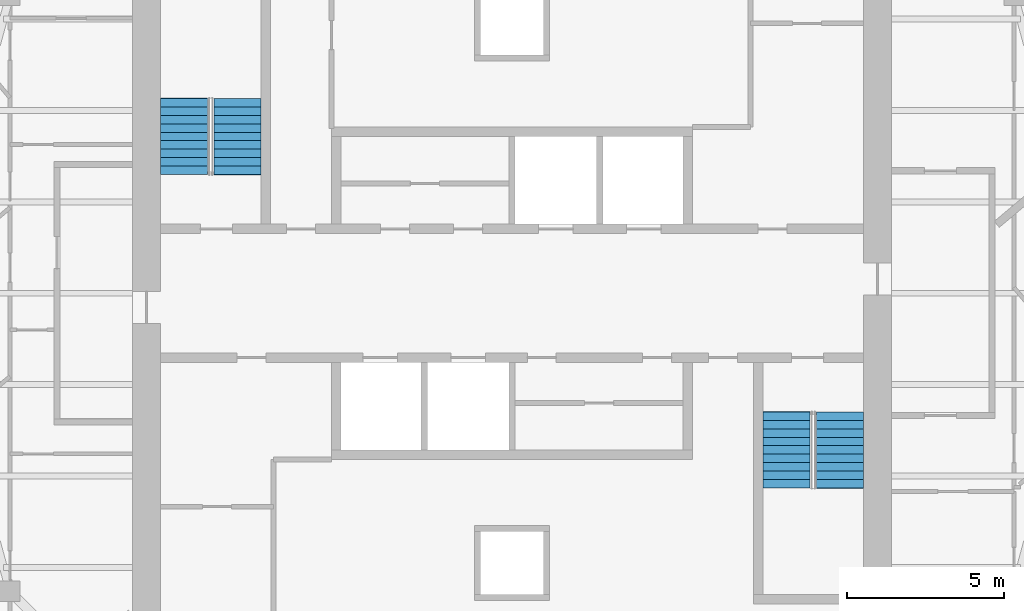
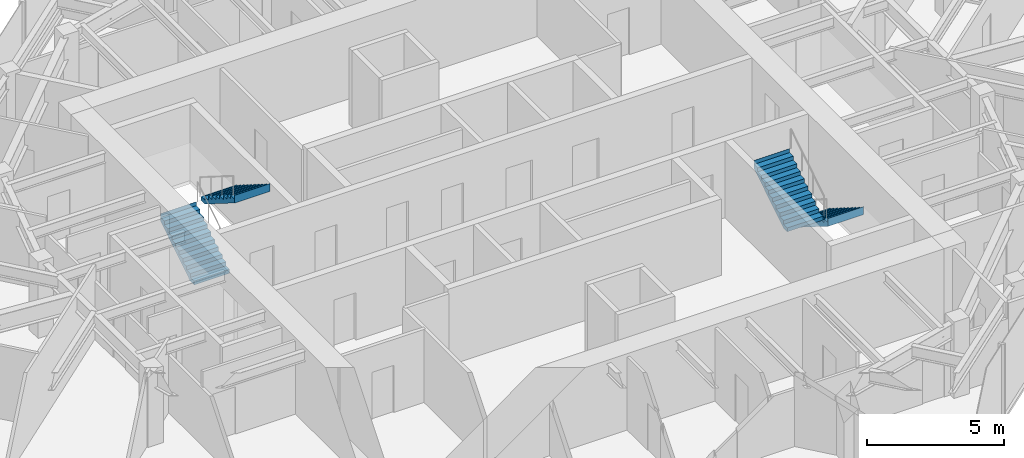
# One storey, part 11 of 12: 4 stair flights, 2 elements without a shape of their own.
"""IFC4 building model written with IfcOpenShell, lengths in metres."""

from ifc_helpers import new_model, si_unit, direction, frame, origin, place, context, subcontext, project, spatial, polyline, outline, extrude, material, type_object, element, aggregate, save


model = new_model("IFC4")

# Units and contexts
model_context = context("Model", 3, precision=1e-05, world=origin(), true_north=direction((0.0, 1.0)))
body_context = subcontext(model_context, "Body", "Model", "MODEL_VIEW")
ifc_project = project(units=[si_unit("LENGTHUNIT", "METRE"), si_unit("AREAUNIT", "SQUARE_METRE"), si_unit("VOLUMEUNIT", "CUBIC_METRE"), si_unit("PLANEANGLEUNIT", "RADIAN"), si_unit("MASSUNIT", "GRAM", prefix="KILO")], contexts=[model_context])

# Site, building, storey
site_placement = place(None, origin())
site = spatial("IfcSite", under=ifc_project, at=site_placement, CompositionType="ELEMENT")
building_placement = place(site_placement, origin())
building = spatial("IfcBuilding", under=site, at=building_placement, Name="Torsade Residences", CompositionType="ELEMENT")
storey_placement = place(building_placement, frame((0.0, 0.0, 289.60009765625)))
storey = spatial("IfcBuildingStorey", under=building, at=storey_placement, Name="L80", CompositionType="ELEMENT", Elevation=289.60009765625)

# Stair, stair flights
ifc_material_1 = material(Name="Precast concrete 40 MPa", Category="concrete")
stair_type = type_object("IfcStairType", Name="HALF-TURN FIRE STAIR 1500x3400", PredefinedType="HALF_TURN_STAIR", material=ifc_material_1)
stair_1_placement = place(storey_placement, origin())
stair_1 = element("IfcStair", 1, at=stair_1_placement, inside=storey, type_object=stair_type, Name="Stair ST1 L80", PredefinedType="HALF_TURN_STAIR")
ifc_material_2 = material(Name="Precast concrete 40 MPa", Category="concrete")
stair_flight_type = type_object("IfcStairFlightType", Name="PRECAST STAIR FLIGHT 1500x1700", PredefinedType="STRAIGHT", material=ifc_material_2)
stair_flight_1_placement = place(storey_placement, frame((29.550048828125, 33.780029296875, 0.0), z_axis=(0.0, 0.0, 1.0), x_axis=(0.0, 1.0, 0.0)))
stair_flight_1 = element("IfcStairFlight", 2, at=stair_flight_1_placement, type_object=stair_flight_type, Name="ST1 flight 1", NumberOfRisers=10, NumberOfTreads=9, PredefinedType="STRAIGHT", RiserHeight=0.17, TreadLength=0.27, context=body_context, shape_type="SweptSolid", body=[
    extrude(outline(polyline([(0.0, 0.0), (0.0, 0.169921875), (0.27001953125, 0.169921875), (0.27001953125, 0.340087890625), (0.5400390625, 0.340087890625), (0.5400390625, 0.510009765625), (0.81005859375, 0.510009765625), (0.81005859375, 0.679931640625), (1.080078125, 0.679931640625), (1.080078125, 0.85009765625), (1.35009765625, 0.85009765625), (1.35009765625, 1.02001953125), (1.6201171875, 1.02001953125), (1.6201171875, 1.18994140625), (1.889892578125, 1.18994140625), (1.889892578125, 1.360107421875), (2.159912109375, 1.360107421875), (2.159912109375, 1.530029296875), (2.429931640625, 1.530029296875), (2.429931640625, 1.699951171875), (2.43994140625, 1.699951171875), (2.43994140625, 1.352783203125), (2.429931640625, 1.352783203125), (0.28125, 0.0), (0.0, 0.0)])), frame((0.0, 0.75, 0.0), z_axis=(0.0, -1.0, 0.0), x_axis=(1.0, 0.0, 0.0)), (0.0, 0.0, 1.0), 1.5),
])
stair_flight_2_placement = place(storey_placement, frame((31.25, 36.2099609375, 1.699951171875), z_axis=(0.0, 0.0, 1.0), x_axis=(0.0, -1.0, 0.0)))
stair_flight_2 = element("IfcStairFlight", 3, at=stair_flight_2_placement, type_object=stair_flight_type, Name="ST1 flight 2", NumberOfRisers=10, NumberOfTreads=9, PredefinedType="STRAIGHT", RiserHeight=0.17, TreadLength=0.27, context=body_context, shape_type="SweptSolid", body=[
    extrude(outline(polyline([(0.0, 0.0), (0.0, 0.169921875), (0.27001953125, 0.169921875), (0.27001953125, 0.340087890625), (0.5400390625, 0.340087890625), (0.5400390625, 0.510009765625), (0.81005859375, 0.510009765625), (0.81005859375, 0.679931640625), (1.080078125, 0.679931640625), (1.080078125, 0.85009765625), (1.35009765625, 0.85009765625), (1.35009765625, 1.02001953125), (1.6201171875, 1.02001953125), (1.6201171875, 1.18994140625), (1.889892578125, 1.18994140625), (1.889892578125, 1.360107421875), (2.159912109375, 1.360107421875), (2.159912109375, 1.530029296875), (2.429931640625, 1.530029296875), (2.429931640625, 1.699951171875), (2.43994140625, 1.699951171875), (2.43994140625, 1.352783203125), (2.429931640625, 1.352783203125), (0.28125, 0.0), (0.0, 0.0)])), frame((0.0, 0.75, 0.0), z_axis=(0.0, -1.0, 0.0), x_axis=(1.0, 0.0, 0.0)), (0.0, 0.0, 1.0), 1.5),
])
aggregate(stair_1, [stair_flight_1, stair_flight_2])

stair_2_placement = place(storey_placement, origin())
stair_2 = element("IfcStair", 4, at=stair_2_placement, inside=storey, type_object=stair_type, Name="Stair ST2 L80", PredefinedType="HALF_TURN_STAIR")
stair_flight_3_placement = place(storey_placement, frame((50.449951171875, 26.219970703125, 0.0), z_axis=(0.0, 0.0, 1.0), x_axis=(0.0, -1.0, 0.0)))
stair_flight_3 = element("IfcStairFlight", 5, at=stair_flight_3_placement, type_object=stair_flight_type, Name="ST2 flight 1", NumberOfRisers=10, NumberOfTreads=9, PredefinedType="STRAIGHT", RiserHeight=0.17, TreadLength=0.27, context=body_context, shape_type="SweptSolid", body=[
    extrude(outline(polyline([(0.0, 0.0), (0.0, 0.169921875), (0.27001953125, 0.169921875), (0.27001953125, 0.340087890625), (0.5400390625, 0.340087890625), (0.5400390625, 0.510009765625), (0.81005859375, 0.510009765625), (0.81005859375, 0.679931640625), (1.080078125, 0.679931640625), (1.080078125, 0.85009765625), (1.35009765625, 0.85009765625), (1.35009765625, 1.02001953125), (1.6201171875, 1.02001953125), (1.6201171875, 1.18994140625), (1.889892578125, 1.18994140625), (1.889892578125, 1.360107421875), (2.159912109375, 1.360107421875), (2.159912109375, 1.530029296875), (2.429931640625, 1.530029296875), (2.429931640625, 1.699951171875), (2.43994140625, 1.699951171875), (2.43994140625, 1.352783203125), (2.429931640625, 1.352783203125), (0.28125, 0.0), (0.0, 0.0)])), frame((0.0, 0.75, 0.0), z_axis=(0.0, -1.0, 0.0), x_axis=(1.0, 0.0, 0.0)), (0.0, 0.0, 1.0), 1.5),
])
stair_flight_4_placement = place(storey_placement, frame((48.75, 23.7900390625, 1.699951171875), z_axis=(0.0, 0.0, 1.0), x_axis=(0.0, 1.0, 0.0)))
stair_flight_4 = element("IfcStairFlight", 6, at=stair_flight_4_placement, type_object=stair_flight_type, Name="ST2 flight 2", NumberOfRisers=10, NumberOfTreads=9, PredefinedType="STRAIGHT", RiserHeight=0.17, TreadLength=0.27, context=body_context, shape_type="SweptSolid", body=[
    extrude(outline(polyline([(0.0, 0.0), (0.0, 0.169921875), (0.27001953125, 0.169921875), (0.27001953125, 0.340087890625), (0.5400390625, 0.340087890625), (0.5400390625, 0.510009765625), (0.81005859375, 0.510009765625), (0.81005859375, 0.679931640625), (1.080078125, 0.679931640625), (1.080078125, 0.85009765625), (1.35009765625, 0.85009765625), (1.35009765625, 1.02001953125), (1.6201171875, 1.02001953125), (1.6201171875, 1.18994140625), (1.889892578125, 1.18994140625), (1.889892578125, 1.360107421875), (2.159912109375, 1.360107421875), (2.159912109375, 1.530029296875), (2.429931640625, 1.530029296875), (2.429931640625, 1.699951171875), (2.43994140625, 1.699951171875), (2.43994140625, 1.352783203125), (2.429931640625, 1.352783203125), (0.28125, 0.0), (0.0, 0.0)])), frame((0.0, 0.75, 0.0), z_axis=(0.0, -1.0, 0.0), x_axis=(1.0, 0.0, 0.0)), (0.0, 0.0, 1.0), 1.5),
])
aggregate(stair_2, [stair_flight_3, stair_flight_4])

save(model, "model.ifc")
